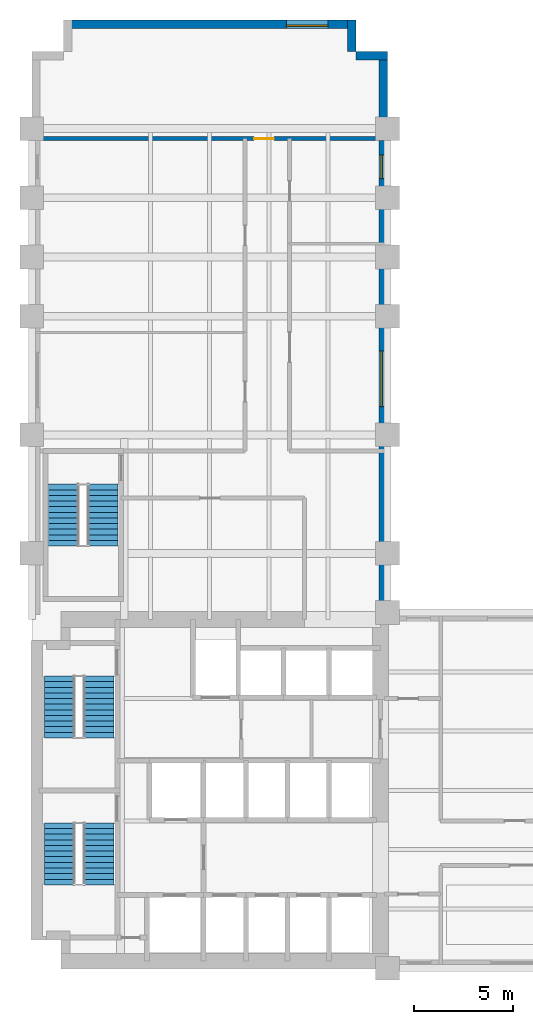
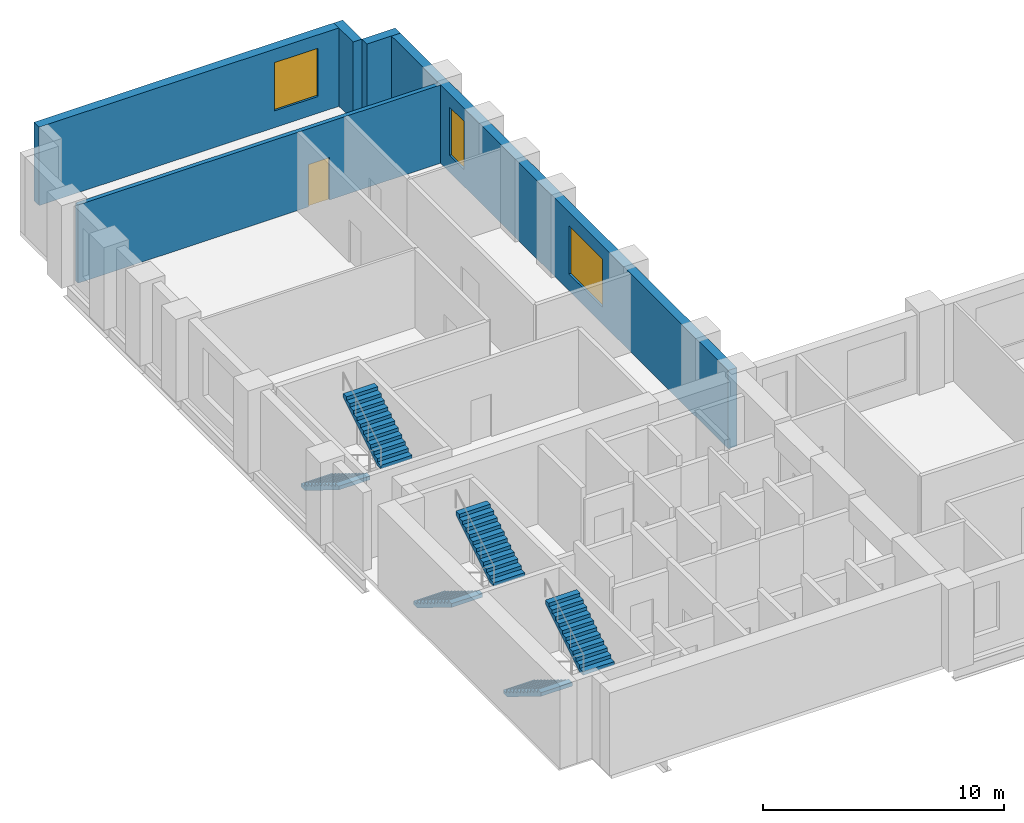
# One storey, part 6 of 7: 6 stair flights, 5 walls, 3 windows, 1 door, 4 openings, 3 elements without a shape of their own.
"""IFC4 building model written with IfcOpenShell, lengths in metres."""

from ifc_helpers import new_model, si_unit, direction, frame, frame_2d, origin, place, context, subcontext, project, spatial, polyline, rectangle, outline, extrude, material, layer, layer_set, type_object, element, fill, aggregate, save


model = new_model("IFC4")

# Units and contexts
model_context = context("Model", 3, precision=1e-05, world=origin(), true_north=direction((0.0, 1.0)))
body_context = subcontext(model_context, "Body", "Model", "MODEL_VIEW")
ifc_project = project(units=[si_unit("LENGTHUNIT", "METRE"), si_unit("AREAUNIT", "SQUARE_METRE"), si_unit("VOLUMEUNIT", "CUBIC_METRE"), si_unit("PLANEANGLEUNIT", "RADIAN"), si_unit("MASSUNIT", "GRAM", prefix="KILO")], contexts=[model_context])

# Site, building, storey
site_placement = place(None, origin())
site = spatial("IfcSite", under=ifc_project, at=site_placement, CompositionType="ELEMENT")
building_placement = place(site_placement, origin())
building = spatial("IfcBuilding", under=site, at=building_placement, Name="Mawjdan Bourse Tower", CompositionType="ELEMENT")
storey_placement = place(building_placement, frame((0.0, 0.0, 30.0)))
storey = spatial("IfcBuildingStorey", under=building, at=storey_placement, Name="L06", CompositionType="ELEMENT", Elevation=30.0)

# Wall, openings, windows
ifc_material_1 = material(Name="Brick Masonry Buff", Category="masonry")
ifc_layer_1 = layer(ifc_material_1, 0.419921875)
ifc_layer_set_1 = layer_set([ifc_layer_1], Name="Brick Masonry Buff")
wall_type_1 = type_object("IfcWallType", Name="WL-BRK-BUFF-420", PredefinedType="STANDARD", material=ifc_layer_set_1)
wall_1_placement = place(storey_placement, frame((23.7900390625, 21.0, 0.0), z_axis=(0.0, 0.0, 1.0), x_axis=(0.0, 1.0, 0.0)))
wall_1 = element("IfcWall", 1, at=wall_1_placement, inside=storey, type_object=wall_type_1, Name="L06 Exterior Brick Wall 8", PredefinedType="STANDARD", context=body_context, shape_type="SweptSolid", body=[
    extrude(rectangle(XDim=28.39990234375, YDim=0.419921875, at=frame_2d((14.199951171875, 0.0))), origin(), (0.0, 0.0, 1.0), 3.97998046875),
])
opening_1_placement = place(wall_1_placement, frame((10.433349609375, 0.0, 0.85009765625)))
opening_1 = element("IfcOpeningElement", 2, at=opening_1_placement, cuts=wall_1, Name="Opening W-L06-04", PredefinedType="OPENING", context=body_context, shape_type="SweptSolid", body=[
    extrude(rectangle(XDim=2.800048828125, YDim=2.449951171875, at=frame_2d((1.39990234375, 1.22509765625))), frame((0.0, 0.219970703125, 0.0), z_axis=(0.0, -1.0, 0.0), x_axis=(1.0, 0.0, 0.0)), (0.0, 0.0, 1.0), 0.43994140625),
])
opening_2_placement = place(wall_1_placement, frame((21.96630859375, 0.0, 0.85009765625)))
opening_2 = element("IfcOpeningElement", 3, at=opening_2_placement, cuts=wall_1, Name="Opening W-L06-16", PredefinedType="OPENING", context=body_context, shape_type="SweptSolid", body=[
    extrude(rectangle(XDim=1.199951171875, YDim=2.449951171875, at=frame_2d((0.60009765625, 1.22509765625))), frame((0.0, 0.219970703125, 0.0), z_axis=(0.0, -1.0, 0.0), x_axis=(1.0, 0.0, 0.0)), (0.0, 0.0, 1.0), 0.43994140625),
])
ifc_material_2 = material(Name="Solar-Control Clear Double Glazing", Category="glass")
window_type_1 = type_object("IfcWindowType", Name="WN-TRD-1200", PartitioningType="SINGLE_PANEL", PredefinedType="WINDOW", material=ifc_material_2)
window_1_placement = place(opening_2_placement, origin())
window_1 = element("IfcWindow", 4, at=window_1_placement, inside=storey, type_object=window_type_1, Name="L06 Deep-Set Masonry Window W-L06-16", OverallHeight=2.449951171875, OverallWidth=1.199951171875, PartitioningType="SINGLE_PANEL", PredefinedType="WINDOW", context=body_context, shape_type="SweptSolid", body=[
    extrude(rectangle(XDim=1.199951171875, YDim=2.449951171875, at=frame_2d((0.60009765625, 1.22509765625))), frame((0.0, 0.110107421875, 0.0), z_axis=(0.0, -1.0, 0.0), x_axis=(1.0, 0.0, 0.0)), (0.0, 0.0, 1.0), 0.06005859375),
])
fill(opening_2, window_1)
window_type_2 = type_object("IfcWindowType", Name="WN-TRD-2800", PartitioningType="SINGLE_PANEL", PredefinedType="WINDOW", material=ifc_material_2)
window_2_placement = place(opening_1_placement, origin())
window_2 = element("IfcWindow", 5, at=window_2_placement, inside=storey, type_object=window_type_2, Name="L06 Deep-Set Masonry Window W-L06-04", OverallHeight=2.449951171875, OverallWidth=2.800048828125, PartitioningType="SINGLE_PANEL", PredefinedType="WINDOW", context=body_context, shape_type="SweptSolid", body=[
    extrude(rectangle(XDim=2.800048828125, YDim=2.449951171875, at=frame_2d((1.39990234375, 1.22509765625))), frame((0.0, 0.110107421875, 0.0), z_axis=(0.0, -1.0, 0.0), x_axis=(1.0, 0.0, 0.0)), (0.0, 0.0, 1.0), 0.06005859375),
])
fill(opening_1, window_2)

# Walls
for number, where, z_axis, x_axis, name in (
    (6, (24.0, 49.18994140625, 0.0), (0.0, 0.0, 1.0), (-1.0, 0.0, 0.0), "L06 Exterior Brick Wall 9"),
    (7, (22.18994140625, 49.39990234375, 0.0), (0.0, 0.0, 1.0), (0.0, 1.0, 0.0), "L06 Exterior Brick Wall 10"),
):
    element("IfcWall", number, at=place(storey_placement, frame(where, z_axis=z_axis, x_axis=x_axis)), inside=storey, type_object=wall_type_1, Name=name, PredefinedType="STANDARD", context=body_context, shape_type="SweptSolid", body=[
        extrude(rectangle(XDim=1.60009765625, YDim=0.419921875, at=frame_2d((0.800048828125, 0.0))), origin(), (0.0, 0.0, 1.0), 3.97998046875),
    ])

# Wall, opening, window
wall_2_placement = place(storey_placement, frame((22.39990234375, 50.7900390625, 0.0), z_axis=(0.0, 0.0, 1.0), x_axis=(-1.0, 0.0, 0.0)))
wall_2 = element("IfcWall", 8, at=wall_2_placement, inside=storey, type_object=wall_type_1, Name="L06 Exterior Brick Wall 11", PredefinedType="STANDARD", context=body_context, shape_type="SweptSolid", body=[
    extrude(rectangle(XDim=14.7998046875, YDim=0.419921875, at=frame_2d((7.39990234375, 0.0))), origin(), (0.0, 0.0, 1.0), 3.97998046875),
])
opening_3_placement = place(wall_2_placement, frame((1.416748046875, 0.0, 0.85009765625)))
opening_3 = element("IfcOpeningElement", 9, at=opening_3_placement, cuts=wall_2, Name="Opening W-L06-05", PredefinedType="OPENING", context=body_context, shape_type="SweptSolid", body=[
    extrude(rectangle(XDim=2.10009765625, YDim=2.449951171875, at=frame_2d((1.050048828125, 1.22509765625))), frame((0.0, 0.219970703125, 0.0), z_axis=(0.0, -1.0, 0.0), x_axis=(1.0, 0.0, 0.0)), (0.0, 0.0, 1.0), 0.43994140625),
])
window_type_3 = type_object("IfcWindowType", Name="WN-TRD-2100", PartitioningType="SINGLE_PANEL", PredefinedType="WINDOW", material=ifc_material_2)
window_3_placement = place(opening_3_placement, origin())
window_3 = element("IfcWindow", 10, at=window_3_placement, inside=storey, type_object=window_type_3, Name="L06 Deep-Set Masonry Window W-L06-05", OverallHeight=2.449951171875, OverallWidth=2.10009765625, PartitioningType="SINGLE_PANEL", PredefinedType="WINDOW", context=body_context, shape_type="SweptSolid", body=[
    extrude(rectangle(XDim=2.10009765625, YDim=2.449951171875, at=frame_2d((1.050048828125, 1.22509765625))), frame((0.0, 0.110107421875, 0.0), z_axis=(0.0, -1.0, 0.0), x_axis=(1.0, 0.0, 0.0)), (0.0, 0.0, 1.0), 0.06005859375),
])
fill(opening_3, window_3)

# Wall, opening, door
ifc_material_3 = material(Name="Gypsum Fireboard Assembly")
ifc_layer_2 = layer(ifc_material_3, 0.199951171875)
ifc_layer_set_2 = layer_set([ifc_layer_2], Name="Gypsum Fireboard Assembly")
wall_type_2 = type_object("IfcWallType", Name="WL-CMP-200", PredefinedType="PARTITIONING", material=ifc_layer_set_2)
wall_3_placement = place(storey_placement, frame((6.179931640625, 45.0, 0.0), z_axis=(0.0, 0.0, 1.0), x_axis=(1.0, 0.0, 0.0)))
wall_3 = element("IfcWall", 11, at=wall_3_placement, inside=storey, type_object=wall_type_2, Name="L06 North Tip Full Cross Wall", PredefinedType="PARTITIONING", context=body_context, shape_type="SweptSolid", body=[
    extrude(rectangle(XDim=17.64013671875, YDim=0.199951171875, at=frame_2d((8.820068359375, 0.0))), origin(), (0.0, 0.0, 1.0), 3.969970703125),
])
opening_4_placement = place(wall_3_placement, frame((11.074951171875, 0.0, 0.0)))
opening_4 = element("IfcOpeningElement", 12, at=opening_4_placement, cuts=wall_3, Name="Opening D-L06-32", PredefinedType="OPENING", context=body_context, shape_type="SweptSolid", body=[
    extrude(rectangle(XDim=1.0, YDim=2.14990234375, at=frame_2d((0.5, 1.074951171875))), frame((0.0, 0.10986328125, 0.0), z_axis=(0.0, -1.0, 0.0), x_axis=(1.0, 0.0, 0.0)), (0.0, 0.0, 1.0), 0.219970703125),
])
ifc_material_4 = material(Name="Hardwood Acoustic Leaf", Category="wood")
door_type = type_object("IfcDoorType", Name="DR-OFC-1000", OperationType="NOTDEFINED", PredefinedType="DOOR", material=ifc_material_4)
door_placement = place(opening_4_placement, origin())
door = element("IfcDoor", 13, at=door_placement, inside=storey, type_object=door_type, Name="L06 North Tip Suite Door D-L06-32", OperationType="SINGLE_SWING_LEFT", OverallHeight=2.14990234375, OverallWidth=1.0, PredefinedType="DOOR", context=body_context, shape_type="SweptSolid", body=[
    extrude(rectangle(XDim=1.0, YDim=2.14990234375, at=frame_2d((0.5, 1.074951171875))), frame((0.0, 0.02490234375, 0.0), z_axis=(0.0, -1.0, 0.0), x_axis=(1.0, 0.0, 0.0)), (0.0, 0.0, 1.0), 0.050048828125),
])
fill(opening_4, door)

# Stair, stair flights
ifc_material_5 = material(Name="Concrete C50/60", Category="concrete")
stair_type = type_object("IfcStairType", Name="STR-CORE-1500", PredefinedType="HALF_TURN_STAIR", material=ifc_material_5)
stair_1_placement = place(storey_placement, origin())
stair_1 = element("IfcStair", 14, at=stair_1_placement, inside=storey, type_object=stair_type, Name="L06 Exit Stair 1 (Core South-West)", PredefinedType="HALF_TURN_STAIR")
stair_flight_type = type_object("IfcStairFlightType", Name="SFL-RC-1500", PredefinedType="STRAIGHT", material=ifc_material_5)
stair_flight_1_placement = place(storey_placement, frame((7.389892578125, 10.35009765625, 0.0), z_axis=(0.0, 0.0, 1.0), x_axis=(0.0, -1.0, 0.0)))
stair_flight_1 = element("IfcStairFlight", 15, at=stair_flight_1_placement, type_object=stair_flight_type, Name="ST1-L06 flight 1", NumberOfRisers=12, NumberOfTreads=11, PredefinedType="STRAIGHT", RiserHeight=0.175, TreadLength=0.285, context=body_context, shape_type="SweptSolid", body=[
    extrude(outline(polyline([(0.0, 0.0), (0.0, 0.175048828125), (0.284912109375, 0.175048828125), (0.284912109375, 0.35009765625), (0.570068359375, 0.35009765625), (0.570068359375, 0.52490234375), (0.85498046875, 0.52490234375), (0.85498046875, 0.699951171875), (1.139892578125, 0.699951171875), (1.139892578125, 0.875), (1.425048828125, 0.875), (1.425048828125, 1.050048828125), (1.7099609375, 1.050048828125), (1.7099609375, 1.22509765625), (1.9951171875, 1.22509765625), (1.9951171875, 1.39990234375), (2.280029296875, 1.39990234375), (2.280029296875, 1.574951171875), (2.56494140625, 1.574951171875), (2.56494140625, 1.75), (2.85009765625, 1.75), (2.85009765625, 1.925048828125), (3.135009765625, 1.925048828125), (3.135009765625, 2.10009765625), (3.135009765625, 1.7373046875), (0.3056640625, 0.0), (0.0, 0.0)])), frame((0.0, 0.75, 0.0), z_axis=(0.0, -1.0, 0.0), x_axis=(1.0, 0.0, 0.0)), (0.0, 0.0, 1.0), 1.5),
])
stair_flight_2_placement = place(storey_placement, frame((9.409912109375, 7.215087890625, 2.10009765625), z_axis=(0.0, 0.0, 1.0), x_axis=(0.0, 1.0, 0.0)))
stair_flight_2 = element("IfcStairFlight", 16, at=stair_flight_2_placement, type_object=stair_flight_type, Name="ST1-L06 flight 2", NumberOfRisers=12, NumberOfTreads=11, PredefinedType="STRAIGHT", RiserHeight=0.175, TreadLength=0.285, context=body_context, shape_type="SweptSolid", body=[
    extrude(outline(polyline([(0.0, 0.0), (0.0, 0.175048828125), (0.284912109375, 0.175048828125), (0.284912109375, 0.35009765625), (0.570068359375, 0.35009765625), (0.570068359375, 0.52490234375), (0.85498046875, 0.52490234375), (0.85498046875, 0.699951171875), (1.139892578125, 0.699951171875), (1.139892578125, 0.875), (1.425048828125, 0.875), (1.425048828125, 1.050048828125), (1.7099609375, 1.050048828125), (1.7099609375, 1.22509765625), (1.9951171875, 1.22509765625), (1.9951171875, 1.39990234375), (2.280029296875, 1.39990234375), (2.280029296875, 1.574951171875), (2.56494140625, 1.574951171875), (2.56494140625, 1.75), (2.85009765625, 1.75), (2.85009765625, 1.925048828125), (3.135009765625, 1.925048828125), (3.135009765625, 2.10009765625), (3.135009765625, 1.7373046875), (0.3056640625, 0.0), (0.0, 0.0)])), frame((0.0, 0.75, 0.0), z_axis=(0.0, -1.0, 0.0), x_axis=(1.0, 0.0, 0.0)), (0.0, 0.0, 1.0), 1.5),
])
aggregate(stair_1, [stair_flight_1, stair_flight_2])

stair_2_placement = place(storey_placement, origin())
stair_2 = element("IfcStair", 17, at=stair_2_placement, inside=storey, type_object=stair_type, Name="L06 Exit Stair 2 (Core North-West)", PredefinedType="HALF_TURN_STAIR")
stair_flight_3_placement = place(storey_placement, frame((7.389892578125, 17.7900390625, 0.0), z_axis=(0.0, 0.0, 1.0), x_axis=(0.0, -1.0, 0.0)))
stair_flight_3 = element("IfcStairFlight", 18, at=stair_flight_3_placement, type_object=stair_flight_type, Name="ST2-L06 flight 1", NumberOfRisers=12, NumberOfTreads=11, PredefinedType="STRAIGHT", RiserHeight=0.175, TreadLength=0.285, context=body_context, shape_type="SweptSolid", body=[
    extrude(outline(polyline([(0.0, 0.0), (0.0, 0.175048828125), (0.284912109375, 0.175048828125), (0.284912109375, 0.35009765625), (0.570068359375, 0.35009765625), (0.570068359375, 0.52490234375), (0.85498046875, 0.52490234375), (0.85498046875, 0.699951171875), (1.139892578125, 0.699951171875), (1.139892578125, 0.875), (1.425048828125, 0.875), (1.425048828125, 1.050048828125), (1.7099609375, 1.050048828125), (1.7099609375, 1.22509765625), (1.9951171875, 1.22509765625), (1.9951171875, 1.39990234375), (2.280029296875, 1.39990234375), (2.280029296875, 1.574951171875), (2.56494140625, 1.574951171875), (2.56494140625, 1.75), (2.85009765625, 1.75), (2.85009765625, 1.925048828125), (3.135009765625, 1.925048828125), (3.135009765625, 2.10009765625), (3.135009765625, 1.7373046875), (0.3056640625, 0.0), (0.0, 0.0)])), frame((0.0, 0.75, 0.0), z_axis=(0.0, -1.0, 0.0), x_axis=(1.0, 0.0, 0.0)), (0.0, 0.0, 1.0), 1.5),
])
stair_flight_4_placement = place(storey_placement, frame((9.409912109375, 14.655029296875, 2.10009765625), z_axis=(0.0, 0.0, 1.0), x_axis=(0.0, 1.0, 0.0)))
stair_flight_4 = element("IfcStairFlight", 19, at=stair_flight_4_placement, type_object=stair_flight_type, Name="ST2-L06 flight 2", NumberOfRisers=12, NumberOfTreads=11, PredefinedType="STRAIGHT", RiserHeight=0.175, TreadLength=0.285, context=body_context, shape_type="SweptSolid", body=[
    extrude(outline(polyline([(0.0, 0.0), (0.0, 0.175048828125), (0.284912109375, 0.175048828125), (0.284912109375, 0.35009765625), (0.570068359375, 0.35009765625), (0.570068359375, 0.52490234375), (0.85498046875, 0.52490234375), (0.85498046875, 0.699951171875), (1.139892578125, 0.699951171875), (1.139892578125, 0.875), (1.425048828125, 0.875), (1.425048828125, 1.050048828125), (1.7099609375, 1.050048828125), (1.7099609375, 1.22509765625), (1.9951171875, 1.22509765625), (1.9951171875, 1.39990234375), (2.280029296875, 1.39990234375), (2.280029296875, 1.574951171875), (2.56494140625, 1.574951171875), (2.56494140625, 1.75), (2.85009765625, 1.75), (2.85009765625, 1.925048828125), (3.135009765625, 1.925048828125), (3.135009765625, 2.10009765625), (3.135009765625, 1.7373046875), (0.3056640625, 0.0), (0.0, 0.0)])), frame((0.0, 0.75, 0.0), z_axis=(0.0, -1.0, 0.0), x_axis=(1.0, 0.0, 0.0)), (0.0, 0.0, 1.0), 1.5),
])
aggregate(stair_2, [stair_flight_3, stair_flight_4])

stair_3_placement = place(storey_placement, origin())
stair_3 = element("IfcStair", 20, at=stair_3_placement, inside=storey, type_object=stair_type, Name="L06 Exit Stair 3 (North Wing)", PredefinedType="HALF_TURN_STAIR")
stair_flight_5_placement = place(storey_placement, frame((7.590087890625, 27.5, 0.0), z_axis=(0.0, 0.0, 1.0), x_axis=(0.0, -1.0, 0.0)))
stair_flight_5 = element("IfcStairFlight", 21, at=stair_flight_5_placement, type_object=stair_flight_type, Name="ST3-L06 flight 1", NumberOfRisers=12, NumberOfTreads=11, PredefinedType="STRAIGHT", RiserHeight=0.175, TreadLength=0.285, context=body_context, shape_type="SweptSolid", body=[
    extrude(outline(polyline([(0.0, 0.0), (0.0, 0.175048828125), (0.284912109375, 0.175048828125), (0.284912109375, 0.35009765625), (0.570068359375, 0.35009765625), (0.570068359375, 0.52490234375), (0.85498046875, 0.52490234375), (0.85498046875, 0.699951171875), (1.139892578125, 0.699951171875), (1.139892578125, 0.875), (1.425048828125, 0.875), (1.425048828125, 1.050048828125), (1.7099609375, 1.050048828125), (1.7099609375, 1.22509765625), (1.9951171875, 1.22509765625), (1.9951171875, 1.39990234375), (2.280029296875, 1.39990234375), (2.280029296875, 1.574951171875), (2.56494140625, 1.574951171875), (2.56494140625, 1.75), (2.85009765625, 1.75), (2.85009765625, 1.925048828125), (3.135009765625, 1.925048828125), (3.135009765625, 2.10009765625), (3.135009765625, 1.7373046875), (0.3056640625, 0.0), (0.0, 0.0)])), frame((0.0, 0.75, 0.0), z_axis=(0.0, -1.0, 0.0), x_axis=(1.0, 0.0, 0.0)), (0.0, 0.0, 1.0), 1.5),
])
stair_flight_6_placement = place(storey_placement, frame((9.610107421875, 24.364990234375, 2.10009765625), z_axis=(0.0, 0.0, 1.0), x_axis=(0.0, 1.0, 0.0)))
stair_flight_6 = element("IfcStairFlight", 22, at=stair_flight_6_placement, type_object=stair_flight_type, Name="ST3-L06 flight 2", NumberOfRisers=12, NumberOfTreads=11, PredefinedType="STRAIGHT", RiserHeight=0.175, TreadLength=0.285, context=body_context, shape_type="SweptSolid", body=[
    extrude(outline(polyline([(0.0, 0.0), (0.0, 0.175048828125), (0.284912109375, 0.175048828125), (0.284912109375, 0.35009765625), (0.570068359375, 0.35009765625), (0.570068359375, 0.52490234375), (0.85498046875, 0.52490234375), (0.85498046875, 0.699951171875), (1.139892578125, 0.699951171875), (1.139892578125, 0.875), (1.425048828125, 0.875), (1.425048828125, 1.050048828125), (1.7099609375, 1.050048828125), (1.7099609375, 1.22509765625), (1.9951171875, 1.22509765625), (1.9951171875, 1.39990234375), (2.280029296875, 1.39990234375), (2.280029296875, 1.574951171875), (2.56494140625, 1.574951171875), (2.56494140625, 1.75), (2.85009765625, 1.75), (2.85009765625, 1.925048828125), (3.135009765625, 1.925048828125), (3.135009765625, 2.10009765625), (3.135009765625, 1.7373046875), (0.3056640625, 0.0), (0.0, 0.0)])), frame((0.0, 0.75, 0.0), z_axis=(0.0, -1.0, 0.0), x_axis=(1.0, 0.0, 0.0)), (0.0, 0.0, 1.0), 1.5),
])
aggregate(stair_3, [stair_flight_5, stair_flight_6])

save(model, "model.ifc")
